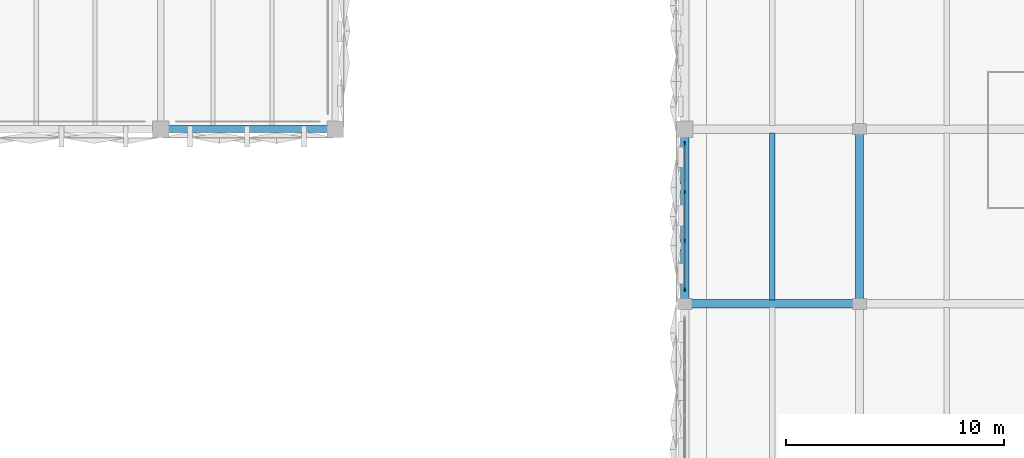
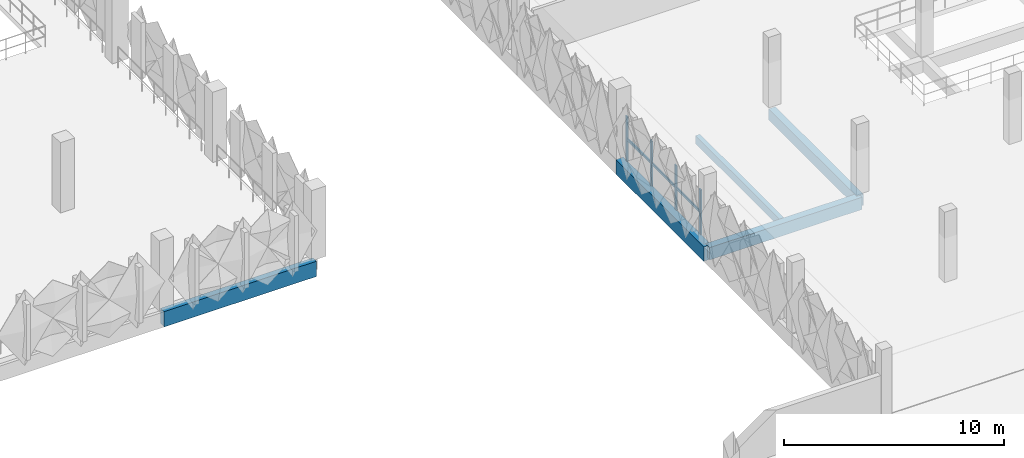
# One storey, part 22 of 83: 5 beams, 5 members, 1 element without a shape of its own.
"""IFC4 building model written with IfcOpenShell, lengths in metres."""

import ifcopenshell
import ifcopenshell.guid

model = None  # the IFC model being written
_history = None  # IfcOwnerHistory: only IFC2X3 demands one
_inside = {}  # id of a spatial element -> (the spatial element, [elements in it])
_under = {}  # id of a project, library or spatial element -> (it, [spatial elements below it])
_declared = {}  # id of a project -> (the project, [libraries it declares])
_typed = {}  # id of a type object -> (the type object, [elements of that type])
_made_of = {}  # id of a material, layer set ... -> (it, [elements and type objects made of it])


def new_model(schema):
    """Start an empty IFC model of exactly this schema.

    Asked for "IFC4X3", IfcOpenShell would pick the latest addendum, in which some entities
    have other attributes; the version numbers below select the first issue.
    IFC2X3 requires an IfcOwnerHistory on every rooted entity: one is made here for all.
    """
    global model, _history
    if schema == "IFC4X3":
        model = ifcopenshell.file(schema_version=(4, 3, 0, 0))
    else:
        model = ifcopenshell.file(schema=schema)
    _inside.clear()
    _under.clear()
    _declared.clear()
    _typed.clear()
    _made_of.clear()
    _history = None
    if model.schema == "IFC2X3":
        org = make("IfcOrganization", Name="unknown")
        user = make(
            "IfcPersonAndOrganization",
            ThePerson=make("IfcPerson", FamilyName="unknown"),
            TheOrganization=org,
        )
        app = make(
            "IfcApplication",
            ApplicationDeveloper=org,
            Version="unknown",
            ApplicationFullName="unknown",
            ApplicationIdentifier="unknown",
        )
        _history = make(
            "IfcOwnerHistory",
            OwningUser=user,
            OwningApplication=app,
            ChangeAction="ADDED",
            CreationDate=0,
        )
    return model


def make(cls, **values):
    """One entity of the class cls with the attributes given. An attribute that is None is left unset."""
    return model.create_entity(
        cls, **{name: value for name, value in values.items() if value is not None}
    )


def rooted(cls, **values):
    """An entity with a GlobalId (a new one), such as an element, a storey or a relation."""
    return make(cls, GlobalId=ifcopenshell.guid.new(), OwnerHistory=_history, **values)


def si_unit(unit_type, name, prefix=None):
    """IfcSIUnit, for example si_unit("LENGTHUNIT", "METRE", prefix="MILLI")."""
    return make("IfcSIUnit", UnitType=unit_type, Prefix=prefix, Name=name)


def derived_unit(unit_type, elements):
    """IfcDerivedUnit: a product of units, each with its exponent."""
    return make(
        "IfcDerivedUnit",
        Elements=[
            make("IfcDerivedUnitElement", Unit=unit, Exponent=power)
            for unit, power in elements
        ],
        UnitType=unit_type,
    )


def assignment(units):
    """IfcUnitAssignment: the units of a project."""
    return None if units is None else make("IfcUnitAssignment", Units=units)


def point(xyz):
    """IfcCartesianPoint."""
    return None if xyz is None else make("IfcCartesianPoint", Coordinates=xyz)


def direction(xyz):
    """IfcDirection."""
    return None if xyz is None else make("IfcDirection", DirectionRatios=xyz)


def frame(location, z_axis=None, x_axis=None):
    """IfcAxis2Placement3D, a coordinate frame: its origin and axes. An axis left out is left unset."""
    return make(
        "IfcAxis2Placement3D",
        Location=point(location),
        Axis=direction(z_axis),
        RefDirection=direction(x_axis),
    )


def frame_2d(location, x_axis=None):
    """IfcAxis2Placement2D, a coordinate frame in the plane: its origin and x axis."""
    return make(
        "IfcAxis2Placement2D", Location=point(location), RefDirection=direction(x_axis)
    )


def origin():
    """The frame at (0, 0, 0) with its axes left unset."""
    return frame((0.0, 0.0, 0.0))


def origin_2d():
    """The frame at (0, 0) in the plane with its x axis left unset."""
    return frame_2d((0.0, 0.0))


def place(relative_to, where):
    """IfcLocalPlacement: puts the frame where relative to a parent placement (None: the world)."""
    return make(
        "IfcLocalPlacement", PlacementRelTo=relative_to, RelativePlacement=where
    )


def context(
    kind, dimensions, precision=None, world=None, true_north=None, identifier=None
):
    """IfcGeometricRepresentationContext, for example the 3D "Model" context."""
    return make(
        "IfcGeometricRepresentationContext",
        ContextIdentifier=identifier,
        ContextType=kind,
        CoordinateSpaceDimension=dimensions,
        Precision=precision,
        WorldCoordinateSystem=world,
        TrueNorth=true_north,
    )


def subcontext(parent, identifier, kind, view, scale=None):
    """IfcGeometricRepresentationSubContext, for example "Body" below "Model"."""
    return make(
        "IfcGeometricRepresentationSubContext",
        ContextIdentifier=identifier,
        ContextType=kind,
        ParentContext=parent,
        TargetScale=scale,
        TargetView=view,
    )


def project(units=None, contexts=None):
    """IfcProject with its units and contexts."""
    return rooted(
        "IfcProject",
        Name="project",
        RepresentationContexts=contexts,
        UnitsInContext=assignment(units),
    )


def spatial(cls, under=None, at=None, **own):
    """A site, building, storey or space (cls), placed at a placement, below another one or the project."""
    s = rooted(cls, ObjectPlacement=at, **own)
    if under is not None:
        _under.setdefault(under.id(), (under, []))[1].append(s)
    return s


def profile(cls, at=None, kind="AREA", **sizes):
    """A parametric profile (cls). Its sizes go by their IFC names, for example OverallWidth=200.0."""
    return make(cls, ProfileType=kind, Position=at, **sizes)


def rectangle(**sizes):
    """IfcRectangleProfileDef."""
    return profile("IfcRectangleProfileDef", **sizes)


def extrude(swept, where, along, depth):
    """IfcExtrudedAreaSolid: the profile swept, set in the frame where, extruded along a direction by depth."""
    return make(
        "IfcExtrudedAreaSolid",
        SweptArea=swept,
        Position=where,
        ExtrudedDirection=direction(along),
        Depth=depth,
    )


def shape(context_of_items, identifier, shape_type, items):
    """IfcShapeRepresentation: the items that make up one representation, for example the "Body"."""
    return make(
        "IfcShapeRepresentation",
        ContextOfItems=context_of_items,
        RepresentationIdentifier=identifier,
        RepresentationType=shape_type,
        Items=items,
    )


def material(Name=None, Category=None):
    """IfcMaterial."""
    return make("IfcMaterial", Name=Name, Category=Category)


def layer(
    of_material, thickness, ventilated=None, Name=None, Category=None, Priority=None
):
    """IfcMaterialLayer: one layer of a wall or slab, of a material (None: an air gap)."""
    return make(
        "IfcMaterialLayer",
        Material=of_material,
        LayerThickness=thickness,
        IsVentilated=ventilated,
        Name=Name,
        Category=Category,
        Priority=Priority,
    )


def layer_set(layers, Name=None):
    """IfcMaterialLayerSet."""
    return make("IfcMaterialLayerSet", MaterialLayers=layers, LayerSetName=Name)


def material_profile(
    of_material, cross_section, Name=None, Category=None, Priority=None
):
    """IfcMaterialProfile: a cross section and its material."""
    return make(
        "IfcMaterialProfile",
        Name=Name,
        Material=of_material,
        Profile=cross_section,
        Priority=Priority,
        Category=Category,
    )


def profile_set(profiles, Name=None, composite=None):
    """IfcMaterialProfileSet."""
    return make(
        "IfcMaterialProfileSet",
        Name=Name,
        MaterialProfiles=profiles,
        CompositeProfile=composite,
    )


def made_of(thing, what):
    """Note that an element or type object is made of a material, layer set ...; save() writes the relation."""
    if what is not None:
        _made_of.setdefault(what.id(), (what, []))[1].append(thing)
    return thing


def type_object(cls, material=None, **own):
    """A type object (cls), such as IfcWallType, which elements share."""
    return made_of(rooted(cls, **own), material)


def element(
    cls,
    number,
    at=None,
    inside=None,
    cuts=None,
    type_object=None,
    material=None,
    context=None,
    identifier="Body",
    shape_type=None,
    held_by="IfcProductDefinitionShape",
    body=None,
    shapes=None,
    **own,
):
    """One element of the class cls, such as IfcWall. Its Tag is "e" and its number.

    at: its placement. inside: the storey or other place that contains it. cuts: it is an
    opening in that element (IfcRelVoidsElement). A single representation is given by context,
    identifier, shape_type and body (its items); several are given by shapes. held_by: the class
    of the entity that holds the representations. save() writes the other relations.
    """
    e = rooted(cls, Tag="e%d" % number, ObjectPlacement=at, **own)
    if body is not None:
        shapes = [shape(context, identifier, shape_type, body)]
    if shapes is not None:
        e.Representation = make(held_by, Representations=shapes)
    if inside is not None:
        _inside.setdefault(inside.id(), (inside, []))[1].append(e)
    if cuts is not None:
        rooted(
            "IfcRelVoidsElement", RelatingBuildingElement=cuts, RelatedOpeningElement=e
        )
    if type_object is not None:
        _typed.setdefault(type_object.id(), (type_object, []))[1].append(e)
    return made_of(e, material)


def aggregate(whole, parts):
    """IfcRelAggregates: a whole, such as a stair, and the parts it consists of."""
    return rooted("IfcRelAggregates", RelatingObject=whole, RelatedObjects=parts)


def save(model, path):
    """Write the relations noted so far, then the file.

    IfcRelAggregates (storeys below a building ...), IfcRelContainedInSpatialStructure (elements
    in a storey), IfcRelDefinesByType, IfcRelAssociatesMaterial and IfcRelDeclares: one each for
    every whole, place, type object, material and project.
    """
    for whole, parts in _under.values():
        aggregate(whole, parts)
    for where, things in _inside.values():
        rooted(
            "IfcRelContainedInSpatialStructure",
            RelatedElements=things,
            RelatingStructure=where,
        )
    for kind, things in _typed.values():
        rooted("IfcRelDefinesByType", RelatedObjects=things, RelatingType=kind)
    for what, things in _made_of.values():
        rooted("IfcRelAssociatesMaterial", RelatedObjects=things, RelatingMaterial=what)
    for by, libraries in _declared.values():
        rooted("IfcRelDeclares", RelatingContext=by, RelatedDefinitions=libraries)
    model.write(path)


model = new_model("IFC4")

# Units and contexts
model_context = context("Model", 3, precision=1e-05, world=origin(), true_north=direction((0.0, 1.0)))
body_context = subcontext(model_context, "Body", "Model", "MODEL_VIEW")
ifc_project = project(units=[si_unit("LENGTHUNIT", "METRE"), si_unit("AREAUNIT", "SQUARE_METRE"), si_unit("VOLUMEUNIT", "CUBIC_METRE"), si_unit("PLANEANGLEUNIT", "RADIAN"), si_unit("MASSUNIT", "GRAM", prefix="KILO"), si_unit("THERMODYNAMICTEMPERATUREUNIT", "KELVIN"), derived_unit("THERMALTRANSMITTANCEUNIT", [(si_unit("POWERUNIT", "WATT"), 1), (si_unit("AREAUNIT", "SQUARE_METRE"), -1), (si_unit("THERMODYNAMICTEMPERATUREUNIT", "KELVIN"), -1)])], contexts=[model_context])

# Site, building, storey
site_placement = place(None, origin())
site = spatial("IfcSite", under=ifc_project, at=site_placement, CompositionType="ELEMENT")
building_placement = place(site_placement, origin())
building = spatial("IfcBuilding", under=site, at=building_placement, Name="Haiyu Intermodal Mobility Hub", CompositionType="ELEMENT")
storey_placement = place(building_placement, frame((0.0, 0.0, 13.39990234375)))
storey = spatial("IfcBuildingStorey", under=building, at=storey_placement, Name="L03", CompositionType="ELEMENT", Elevation=13.39990234375)

# Beams
ifc_material_1 = material(Name="Concrete C40", Category="concrete")
ifc_material_profile_1 = material_profile(ifc_material_1, rectangle(XDim=0.39990234375, YDim=0.800048828125, at=origin_2d()), Name="RCB400x800")
ifc_profile_set_1 = profile_set([ifc_material_profile_1], Name="Concrete C40")
beam_type_1 = type_object("IfcBeamType", Name="BM-CB05", PredefinedType="BEAM", material=ifc_profile_set_1)
beam_1_placement = place(storey_placement, frame((162.0, 96.0, -0.659912109375), z_axis=(0.0, 1.0, 0.0), x_axis=(-1.0, 0.0, 0.0)))
element("IfcBeam", 1, at=beam_1_placement, inside=storey, type_object=beam_type_1, Name="BM-V6T-L03-003", PredefinedType="BEAM", context=body_context, shape_type="SweptSolid", body=[
    extrude(rectangle(XDim=0.39990234375, YDim=0.800048828125, at=origin_2d()), origin(), (0.0, 0.0, 1.0), 8.0),
])
ifc_material_profile_2 = material_profile(ifc_material_1, rectangle(XDim=0.3798828125, YDim=0.679931640625, at=origin_2d()), Name="B380x680")
ifc_profile_set_2 = profile_set([ifc_material_profile_2], Name="Concrete C40")
beam_type_2 = type_object("IfcBeamType", Name="BM-CB15", PredefinedType="BEAM", material=ifc_profile_set_2)
beam_2_placement = place(storey_placement, frame((162.0, 96.0, -0.599853515625), z_axis=(1.0, 0.0, 0.0), x_axis=(0.0, 1.0, 0.0)))
element("IfcBeam", 2, at=beam_2_placement, inside=storey, type_object=beam_type_2, Name="BM-V6G-L03-013", PredefinedType="BEAM", context=body_context, shape_type="SweptSolid", body=[
    extrude(rectangle(XDim=0.3798828125, YDim=0.679931640625, at=origin_2d()), origin(), (0.0, 0.0, 1.0), 8.0),
])
ifc_material_profile_3 = material_profile(ifc_material_1, rectangle(XDim=0.360107421875, YDim=0.6201171875, at=origin_2d()), Name="B360x620")
ifc_profile_set_3 = profile_set([ifc_material_profile_3], Name="Concrete C40")
beam_type_3 = type_object("IfcBeamType", Name="BM-CB16", PredefinedType="BEAM", material=ifc_profile_set_3)
beam_3_placement = place(storey_placement, frame((170.0, 96.0, -0.56982421875), z_axis=(0.0, 1.0, 0.0), x_axis=(-1.0, 0.0, 0.0)))
element("IfcBeam", 3, at=beam_3_placement, inside=storey, type_object=beam_type_3, Name="BM-V6T-L03-011", PredefinedType="BEAM", context=body_context, shape_type="SweptSolid", body=[
    extrude(rectangle(XDim=0.360107421875, YDim=0.6201171875, at=origin_2d()), origin(), (0.0, 0.0, 1.0), 8.0),
])
ifc_material_profile_4 = material_profile(ifc_material_1, rectangle(XDim=0.239990234375, YDim=0.43994140625, at=origin_2d()), Name="B240x440")
ifc_profile_set_4 = profile_set([ifc_material_profile_4], Name="Concrete C40")
beam_type_4 = type_object("IfcBeamType", Name="BM-CB19", PredefinedType="JOIST", material=ifc_profile_set_4)
beam_4_placement = place(storey_placement, frame((166.0, 96.175048828125, -0.47998046875), z_axis=(0.0, 1.0, 0.0), x_axis=(-1.0, 0.0, 0.0)))
element("IfcBeam", 4, at=beam_4_placement, inside=storey, type_object=beam_type_4, Name="BM-V6J-L03-003", PredefinedType="JOIST", context=body_context, shape_type="SweptSolid", body=[
    extrude(rectangle(XDim=0.239990234375, YDim=0.43994140625, at=origin_2d()), origin(), (0.0, 0.0, 1.0), 7.64990234375),
])
ifc_material_2 = material(Name="Precast concrete C40", Category="concrete")
ifc_material_profile_5 = material_profile(ifc_material_2, rectangle(XDim=0.320068359375, YDim=0.85009765625, at=origin_2d()), Name="PC320x850")
ifc_profile_set_5 = profile_set([ifc_material_profile_5], Name="Precast concrete C40")
beam_type_5 = type_object("IfcBeamType", Name="BM-SP02", PredefinedType="SPANDREL", material=ifc_profile_set_5)
beam_5_placement = place(storey_placement, frame((138.0, 104.0, -0.699951171875), z_axis=(1.0, 0.0, 0.0), x_axis=(0.0, 1.0, 0.0)))
element("IfcBeam", 5, at=beam_5_placement, inside=storey, type_object=beam_type_5, Name="BM-V4G-L03-012", PredefinedType="SPANDREL", context=body_context, shape_type="SweptSolid", body=[
    extrude(rectangle(XDim=0.320068359375, YDim=0.85009765625, at=origin_2d()), origin(), (0.0, 0.0, 1.0), 8.0),
])

# Curtain wall, members
ifc_material_3 = material(Name="Low-e laminated insulating glass", Category="glass")
ifc_layer = layer(ifc_material_3, 0.2099609375)
ifc_layer_set = layer_set([ifc_layer], Name="Low-e laminated insulating glass")
curtain_wall_type = type_object("IfcCurtainWallType", Name="CW-CW04", PredefinedType="NOTDEFINED", material=ifc_layer_set)
curtain_wall_placement = place(storey_placement, origin())
curtain_wall = element("IfcCurtainWall", 6, at=curtain_wall_placement, inside=storey, type_object=curtain_wall_type, Name="Curtain Wall CW-V6W-L03-151", PredefinedType="NOTDEFINED")
ifc_material_4 = material(Name="Anodised aluminium 6063-T6", Category="aluminium")
ifc_material_profile_6 = material_profile(ifc_material_4, rectangle(XDim=0.06494140625, YDim=0.1650390625, at=origin_2d()), Name="ALU65x165")
ifc_profile_set_6 = profile_set([ifc_material_profile_6], Name="Anodised aluminium 6063-T6")
member_type_1 = type_object("IfcMemberType", Name="CWM-ML02", PredefinedType="MULLION", material=ifc_profile_set_6)
member_1_placement = place(storey_placement, frame((162.0, 103.340087890625, 0.0), z_axis=(0.0, 0.0, 1.0), x_axis=(1.0, 0.0, 0.0)))
member_1 = element("IfcMember", 7, at=member_1_placement, type_object=member_type_1, Name="CW-V6W-L03-151-ML01", PredefinedType="MULLION", context=body_context, shape_type="SweptSolid", body=[
    extrude(rectangle(XDim=0.06494140625, YDim=0.1650390625, at=origin_2d()), origin(), (0.0, 0.0, 1.0), 2.47998046875),
])
member_2_placement = place(storey_placement, frame((162.0, 101.113037109375, 0.0), z_axis=(0.0, 0.0, 1.0), x_axis=(1.0, 0.0, 0.0)))
member_2 = element("IfcMember", 8, at=member_2_placement, type_object=member_type_1, Name="CW-V6W-L03-151-ML02", PredefinedType="MULLION", context=body_context, shape_type="SweptSolid", body=[
    extrude(rectangle(XDim=0.06494140625, YDim=0.1650390625, at=origin_2d()), origin(), (0.0, 0.0, 1.0), 2.47998046875),
])
member_3_placement = place(storey_placement, frame((162.0, 98.886962890625, 0.0), z_axis=(0.0, 0.0, 1.0), x_axis=(1.0, 0.0, 0.0)))
member_3 = element("IfcMember", 9, at=member_3_placement, type_object=member_type_1, Name="CW-V6W-L03-151-ML03", PredefinedType="MULLION", context=body_context, shape_type="SweptSolid", body=[
    extrude(rectangle(XDim=0.06494140625, YDim=0.1650390625, at=origin_2d()), origin(), (0.0, 0.0, 1.0), 2.47998046875),
])
member_4_placement = place(storey_placement, frame((162.0, 96.659912109375, 0.0), z_axis=(0.0, 0.0, 1.0), x_axis=(1.0, 0.0, 0.0)))
member_4 = element("IfcMember", 10, at=member_4_placement, type_object=member_type_1, Name="CW-V6W-L03-151-ML04", PredefinedType="MULLION", context=body_context, shape_type="SweptSolid", body=[
    extrude(rectangle(XDim=0.06494140625, YDim=0.1650390625, at=origin_2d()), origin(), (0.0, 0.0, 1.0), 2.47998046875),
])
ifc_material_profile_7 = material_profile(ifc_material_4, rectangle(XDim=0.06494140625, YDim=0.135009765625, at=origin_2d()), Name="ALU65x135")
ifc_profile_set_7 = profile_set([ifc_material_profile_7], Name="Anodised aluminium 6063-T6")
member_type_2 = type_object("IfcMemberType", Name="CWM-TR02", PredefinedType="USERDEFINED", material=ifc_profile_set_7)
member_5_placement = place(storey_placement, frame((162.0, 103.3798828125, 1.239990234375), z_axis=(0.0, -1.0, 0.0), x_axis=(1.0, 0.0, 0.0)))
member_5 = element("IfcMember", 11, at=member_5_placement, type_object=member_type_2, Name="CW-V6W-L03-151-TR01", ObjectType="TRANSOM", PredefinedType="USERDEFINED", context=body_context, shape_type="SweptSolid", body=[
    extrude(rectangle(XDim=0.06494140625, YDim=0.135009765625, at=origin_2d()), origin(), (0.0, 0.0, 1.0), 6.759765625),
])
aggregate(curtain_wall, [member_1, member_2, member_3, member_4, member_5])

save(model, "model.ifc")
